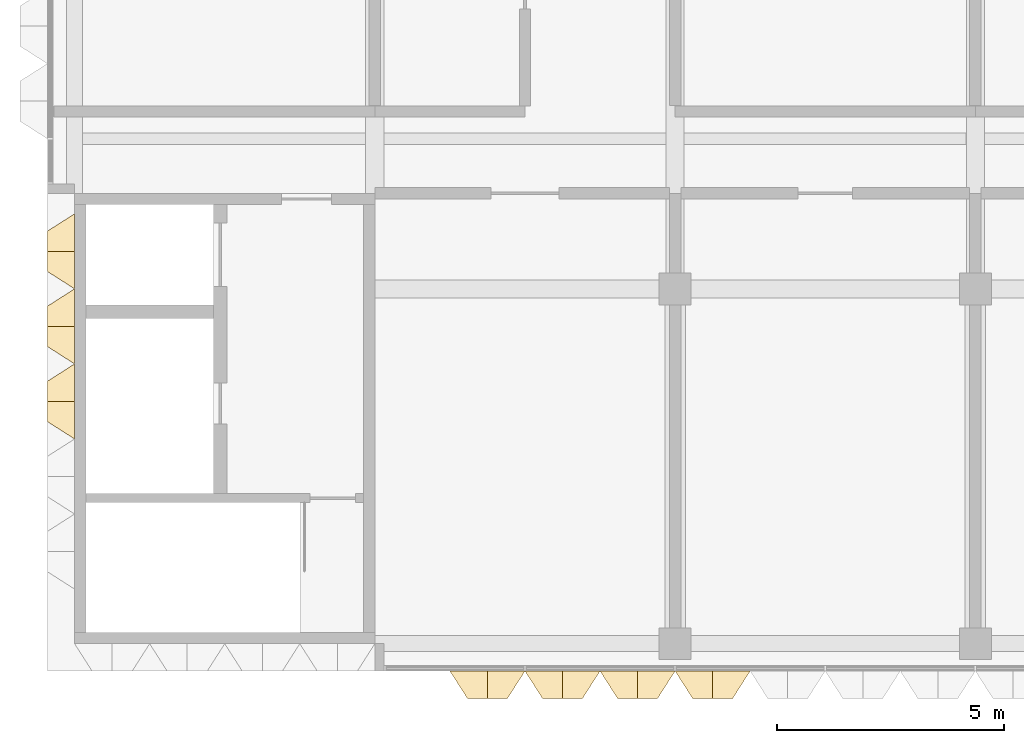
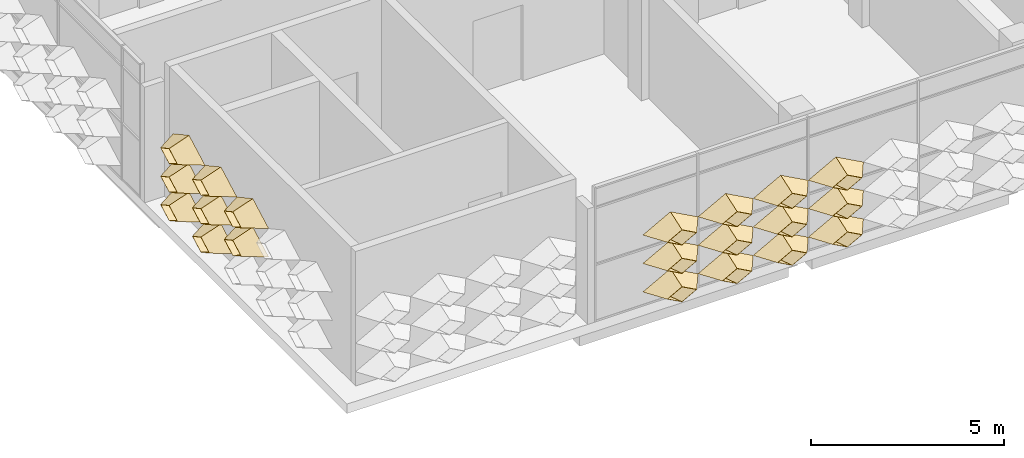
# One storey, part 12 of 21: 20 coverings.
"""IFC4 building model written with IfcOpenShell, lengths in metres."""

from ifc_helpers import new_model, entity, si_unit, direction, frame, origin, place, context, subcontext, project, spatial, material, layer, layer_set, type_object, element, save


model = new_model("IFC4")

# Units and contexts
model_context = context("Model", 3, precision=1e-05, world=origin(), true_north=direction((0.0, 1.0)))
body_context = subcontext(model_context, "Body", "Model", "MODEL_VIEW")
ifc_project = project(units=[si_unit("LENGTHUNIT", "METRE"), si_unit("AREAUNIT", "SQUARE_METRE"), si_unit("VOLUMEUNIT", "CUBIC_METRE"), si_unit("PLANEANGLEUNIT", "RADIAN"), si_unit("MASSUNIT", "GRAM", prefix="KILO")], contexts=[model_context])

# Site, building, storey
site_placement = place(None, origin())
site = spatial("IfcSite", under=ifc_project, at=site_placement, CompositionType="ELEMENT")
building_placement = place(site_placement, origin())
building = spatial("IfcBuilding", under=site, at=building_placement, Name="Lantern Court Research Institute", CompositionType="ELEMENT")
storey_placement = place(building_placement, frame((0.0, 0.0, 41.39990234375)))
storey = spatial("IfcBuildingStorey", under=building, at=storey_placement, Name="L09", CompositionType="ELEMENT", Elevation=41.39990234375)

# Coverings
ifc_material = material(Name="Anodised aluminium", Category="aluminium")
ifc_layer = layer(ifc_material, 0.01611328125)
ifc_layer_set = layer_set([ifc_layer], Name="Anodised aluminium")
covering_type = type_object("IfcCoveringType", Name="Fin cassette 1650 x 900 x 600 aluminium", PredefinedType="CLADDING", material=ifc_layer_set)
covering_1_placement = place(storey_placement, frame((61.875, -8.39990234375, 0.4501953125), z_axis=(0.0, -1.0, 0.0), x_axis=(1.0, 0.0, 0.0)))
cartesian_point_1 = entity("IfcCartesianPoint", [0.824951171875, 0.0])
cartesian_point_2 = entity("IfcCartesianPoint", [0.79150390625, 0.0])
cartesian_point_3 = entity("IfcCartesianPoint", [0.44189453125, 0.0])
cartesian_point_4 = entity("IfcCartesianPoint", [0.43359375, 0.0])
element("IfcCovering", 1, at=covering_1_placement, inside=storey, type_object=covering_type, Name="Fin cassette V5S-L09 1.38", PredefinedType="CLADDING", context=body_context, shape_type="SweptSolid", body=[
    entity("IfcExtrudedAreaSolidTapered", entity("IfcArbitraryProfileDefWithVoids", "AREA", None, entity("IfcPolyline", [cartesian_point_1, entity("IfcCartesianPoint", [0.0, 0.449951171875]), entity("IfcCartesianPoint", [-0.824951171875, 0.0]), entity("IfcCartesianPoint", [0.0, -0.449951171875]), cartesian_point_1]), [entity("IfcPolyline", [cartesian_point_2, entity("IfcCartesianPoint", [0.0, 0.431884765625]), entity("IfcCartesianPoint", [-0.79150390625, 0.0]), entity("IfcCartesianPoint", [0.0, -0.431884765625]), cartesian_point_2])]), entity("IfcAxis2Placement3D", entity("IfcCartesianPoint", [0.0, 0.0, 0.0])), entity("IfcDirection", [0.0, 0.0, 1.0]), 0.60009765625, entity("IfcArbitraryProfileDefWithVoids", "AREA", None, entity("IfcPolyline", [cartesian_point_3, entity("IfcCartesianPoint", [0.0, 0.240966796875]), entity("IfcCartesianPoint", [-0.44189453125, 0.0]), entity("IfcCartesianPoint", [0.0, -0.240966796875]), cartesian_point_3]), [entity("IfcPolyline", [cartesian_point_4, entity("IfcCartesianPoint", [0.0, 0.236572265625]), entity("IfcCartesianPoint", [-0.43359375, 0.0]), entity("IfcCartesianPoint", [0.0, -0.236572265625]), cartesian_point_4])])),
])
covering_2_placement = place(storey_placement, frame((63.52490234375, -8.39990234375, 0.4501953125), z_axis=(0.0, -1.0, 0.0), x_axis=(1.0, 0.0, 0.0)))
cartesian_point_5 = entity("IfcCartesianPoint", [0.824951171875, 0.0])
cartesian_point_6 = entity("IfcCartesianPoint", [0.79150390625, 0.0])
cartesian_point_7 = entity("IfcCartesianPoint", [0.44189453125, 0.0])
cartesian_point_8 = entity("IfcCartesianPoint", [0.43359375, 0.0])
element("IfcCovering", 2, at=covering_2_placement, inside=storey, type_object=covering_type, Name="Fin cassette V5S-L09 1.39", PredefinedType="CLADDING", context=body_context, shape_type="SweptSolid", body=[
    entity("IfcExtrudedAreaSolidTapered", entity("IfcArbitraryProfileDefWithVoids", "AREA", None, entity("IfcPolyline", [cartesian_point_5, entity("IfcCartesianPoint", [0.0, 0.449951171875]), entity("IfcCartesianPoint", [-0.824951171875, 0.0]), entity("IfcCartesianPoint", [0.0, -0.449951171875]), cartesian_point_5]), [entity("IfcPolyline", [cartesian_point_6, entity("IfcCartesianPoint", [0.0, 0.431884765625]), entity("IfcCartesianPoint", [-0.79150390625, 0.0]), entity("IfcCartesianPoint", [0.0, -0.431884765625]), cartesian_point_6])]), entity("IfcAxis2Placement3D", entity("IfcCartesianPoint", [0.0, 0.0, 0.0])), entity("IfcDirection", [0.0, 0.0, 1.0]), 0.60009765625, entity("IfcArbitraryProfileDefWithVoids", "AREA", None, entity("IfcPolyline", [cartesian_point_7, entity("IfcCartesianPoint", [0.0, 0.240966796875]), entity("IfcCartesianPoint", [-0.44189453125, 0.0]), entity("IfcCartesianPoint", [0.0, -0.240966796875]), cartesian_point_7]), [entity("IfcPolyline", [cartesian_point_8, entity("IfcCartesianPoint", [0.0, 0.236572265625]), entity("IfcCartesianPoint", [-0.43359375, 0.0]), entity("IfcCartesianPoint", [0.0, -0.236572265625]), cartesian_point_8])])),
])
covering_3_placement = place(storey_placement, frame((65.175048828125, -8.39990234375, 0.4501953125), z_axis=(0.0, -1.0, 0.0), x_axis=(1.0, 0.0, 0.0)))
cartesian_point_9 = entity("IfcCartesianPoint", [0.824951171875, 0.0])
cartesian_point_10 = entity("IfcCartesianPoint", [0.79150390625, 0.0])
cartesian_point_11 = entity("IfcCartesianPoint", [0.44189453125, 0.0])
cartesian_point_12 = entity("IfcCartesianPoint", [0.43359375, 0.0])
element("IfcCovering", 3, at=covering_3_placement, inside=storey, type_object=covering_type, Name="Fin cassette V5S-L09 1.40", PredefinedType="CLADDING", context=body_context, shape_type="SweptSolid", body=[
    entity("IfcExtrudedAreaSolidTapered", entity("IfcArbitraryProfileDefWithVoids", "AREA", None, entity("IfcPolyline", [cartesian_point_9, entity("IfcCartesianPoint", [0.0, 0.449951171875]), entity("IfcCartesianPoint", [-0.824951171875, 0.0]), entity("IfcCartesianPoint", [0.0, -0.449951171875]), cartesian_point_9]), [entity("IfcPolyline", [cartesian_point_10, entity("IfcCartesianPoint", [0.0, 0.431884765625]), entity("IfcCartesianPoint", [-0.79150390625, 0.0]), entity("IfcCartesianPoint", [0.0, -0.431884765625]), cartesian_point_10])]), entity("IfcAxis2Placement3D", entity("IfcCartesianPoint", [0.0, 0.0, 0.0])), entity("IfcDirection", [0.0, 0.0, 1.0]), 0.60009765625, entity("IfcArbitraryProfileDefWithVoids", "AREA", None, entity("IfcPolyline", [cartesian_point_11, entity("IfcCartesianPoint", [0.0, 0.240966796875]), entity("IfcCartesianPoint", [-0.44189453125, 0.0]), entity("IfcCartesianPoint", [0.0, -0.240966796875]), cartesian_point_11]), [entity("IfcPolyline", [cartesian_point_12, entity("IfcCartesianPoint", [0.0, 0.236572265625]), entity("IfcCartesianPoint", [-0.43359375, 0.0]), entity("IfcCartesianPoint", [0.0, -0.236572265625]), cartesian_point_12])])),
])
covering_4_placement = place(storey_placement, frame((66.824951171875, -8.39990234375, 0.4501953125), z_axis=(0.0, -1.0, 0.0), x_axis=(1.0, 0.0, 0.0)))
cartesian_point_13 = entity("IfcCartesianPoint", [0.824951171875, 0.0])
cartesian_point_14 = entity("IfcCartesianPoint", [0.79150390625, 0.0])
cartesian_point_15 = entity("IfcCartesianPoint", [0.44189453125, 0.0])
cartesian_point_16 = entity("IfcCartesianPoint", [0.43359375, 0.0])
element("IfcCovering", 4, at=covering_4_placement, inside=storey, type_object=covering_type, Name="Fin cassette V5S-L09 1.41", PredefinedType="CLADDING", context=body_context, shape_type="SweptSolid", body=[
    entity("IfcExtrudedAreaSolidTapered", entity("IfcArbitraryProfileDefWithVoids", "AREA", None, entity("IfcPolyline", [cartesian_point_13, entity("IfcCartesianPoint", [0.0, 0.449951171875]), entity("IfcCartesianPoint", [-0.824951171875, 0.0]), entity("IfcCartesianPoint", [0.0, -0.449951171875]), cartesian_point_13]), [entity("IfcPolyline", [cartesian_point_14, entity("IfcCartesianPoint", [0.0, 0.431884765625]), entity("IfcCartesianPoint", [-0.79150390625, 0.0]), entity("IfcCartesianPoint", [0.0, -0.431884765625]), cartesian_point_14])]), entity("IfcAxis2Placement3D", entity("IfcCartesianPoint", [0.0, 0.0, 0.0])), entity("IfcDirection", [0.0, 0.0, 1.0]), 0.60009765625, entity("IfcArbitraryProfileDefWithVoids", "AREA", None, entity("IfcPolyline", [cartesian_point_15, entity("IfcCartesianPoint", [0.0, 0.240966796875]), entity("IfcCartesianPoint", [-0.44189453125, 0.0]), entity("IfcCartesianPoint", [0.0, -0.240966796875]), cartesian_point_15]), [entity("IfcPolyline", [cartesian_point_16, entity("IfcCartesianPoint", [0.0, 0.236572265625]), entity("IfcCartesianPoint", [-0.43359375, 0.0]), entity("IfcCartesianPoint", [0.0, -0.236572265625]), cartesian_point_16])])),
])
covering_5_placement = place(storey_placement, frame((61.875, -8.39990234375, 1.35009765625), z_axis=(0.0, -1.0, 0.0), x_axis=(1.0, 0.0, 0.0)))
cartesian_point_17 = entity("IfcCartesianPoint", [0.824951171875, 0.0])
cartesian_point_18 = entity("IfcCartesianPoint", [0.79150390625, 0.0])
cartesian_point_19 = entity("IfcCartesianPoint", [0.44189453125, 0.0])
cartesian_point_20 = entity("IfcCartesianPoint", [0.43359375, 0.0])
element("IfcCovering", 5, at=covering_5_placement, inside=storey, type_object=covering_type, Name="Fin cassette V5S-L09 2.38", PredefinedType="CLADDING", context=body_context, shape_type="SweptSolid", body=[
    entity("IfcExtrudedAreaSolidTapered", entity("IfcArbitraryProfileDefWithVoids", "AREA", None, entity("IfcPolyline", [cartesian_point_17, entity("IfcCartesianPoint", [0.0, 0.449951171875]), entity("IfcCartesianPoint", [-0.824951171875, 0.0]), entity("IfcCartesianPoint", [0.0, -0.449951171875]), cartesian_point_17]), [entity("IfcPolyline", [cartesian_point_18, entity("IfcCartesianPoint", [0.0, 0.431884765625]), entity("IfcCartesianPoint", [-0.79150390625, 0.0]), entity("IfcCartesianPoint", [0.0, -0.431884765625]), cartesian_point_18])]), entity("IfcAxis2Placement3D", entity("IfcCartesianPoint", [0.0, 0.0, 0.0])), entity("IfcDirection", [0.0, 0.0, 1.0]), 0.60009765625, entity("IfcArbitraryProfileDefWithVoids", "AREA", None, entity("IfcPolyline", [cartesian_point_19, entity("IfcCartesianPoint", [0.0, 0.240966796875]), entity("IfcCartesianPoint", [-0.44189453125, 0.0]), entity("IfcCartesianPoint", [0.0, -0.240966796875]), cartesian_point_19]), [entity("IfcPolyline", [cartesian_point_20, entity("IfcCartesianPoint", [0.0, 0.236572265625]), entity("IfcCartesianPoint", [-0.43359375, 0.0]), entity("IfcCartesianPoint", [0.0, -0.236572265625]), cartesian_point_20])])),
])
covering_6_placement = place(storey_placement, frame((63.52490234375, -8.39990234375, 1.35009765625), z_axis=(0.0, -1.0, 0.0), x_axis=(1.0, 0.0, 0.0)))
cartesian_point_21 = entity("IfcCartesianPoint", [0.824951171875, 0.0])
cartesian_point_22 = entity("IfcCartesianPoint", [0.79150390625, 0.0])
cartesian_point_23 = entity("IfcCartesianPoint", [0.44189453125, 0.0])
cartesian_point_24 = entity("IfcCartesianPoint", [0.43359375, 0.0])
element("IfcCovering", 6, at=covering_6_placement, inside=storey, type_object=covering_type, Name="Fin cassette V5S-L09 2.39", PredefinedType="CLADDING", context=body_context, shape_type="SweptSolid", body=[
    entity("IfcExtrudedAreaSolidTapered", entity("IfcArbitraryProfileDefWithVoids", "AREA", None, entity("IfcPolyline", [cartesian_point_21, entity("IfcCartesianPoint", [0.0, 0.449951171875]), entity("IfcCartesianPoint", [-0.824951171875, 0.0]), entity("IfcCartesianPoint", [0.0, -0.449951171875]), cartesian_point_21]), [entity("IfcPolyline", [cartesian_point_22, entity("IfcCartesianPoint", [0.0, 0.431884765625]), entity("IfcCartesianPoint", [-0.79150390625, 0.0]), entity("IfcCartesianPoint", [0.0, -0.431884765625]), cartesian_point_22])]), entity("IfcAxis2Placement3D", entity("IfcCartesianPoint", [0.0, 0.0, 0.0])), entity("IfcDirection", [0.0, 0.0, 1.0]), 0.60009765625, entity("IfcArbitraryProfileDefWithVoids", "AREA", None, entity("IfcPolyline", [cartesian_point_23, entity("IfcCartesianPoint", [0.0, 0.240966796875]), entity("IfcCartesianPoint", [-0.44189453125, 0.0]), entity("IfcCartesianPoint", [0.0, -0.240966796875]), cartesian_point_23]), [entity("IfcPolyline", [cartesian_point_24, entity("IfcCartesianPoint", [0.0, 0.236572265625]), entity("IfcCartesianPoint", [-0.43359375, 0.0]), entity("IfcCartesianPoint", [0.0, -0.236572265625]), cartesian_point_24])])),
])
covering_7_placement = place(storey_placement, frame((65.175048828125, -8.39990234375, 1.35009765625), z_axis=(0.0, -1.0, 0.0), x_axis=(1.0, 0.0, 0.0)))
cartesian_point_25 = entity("IfcCartesianPoint", [0.824951171875, 0.0])
cartesian_point_26 = entity("IfcCartesianPoint", [0.79150390625, 0.0])
cartesian_point_27 = entity("IfcCartesianPoint", [0.44189453125, 0.0])
cartesian_point_28 = entity("IfcCartesianPoint", [0.43359375, 0.0])
element("IfcCovering", 7, at=covering_7_placement, inside=storey, type_object=covering_type, Name="Fin cassette V5S-L09 2.40", PredefinedType="CLADDING", context=body_context, shape_type="SweptSolid", body=[
    entity("IfcExtrudedAreaSolidTapered", entity("IfcArbitraryProfileDefWithVoids", "AREA", None, entity("IfcPolyline", [cartesian_point_25, entity("IfcCartesianPoint", [0.0, 0.449951171875]), entity("IfcCartesianPoint", [-0.824951171875, 0.0]), entity("IfcCartesianPoint", [0.0, -0.449951171875]), cartesian_point_25]), [entity("IfcPolyline", [cartesian_point_26, entity("IfcCartesianPoint", [0.0, 0.431884765625]), entity("IfcCartesianPoint", [-0.79150390625, 0.0]), entity("IfcCartesianPoint", [0.0, -0.431884765625]), cartesian_point_26])]), entity("IfcAxis2Placement3D", entity("IfcCartesianPoint", [0.0, 0.0, 0.0])), entity("IfcDirection", [0.0, 0.0, 1.0]), 0.60009765625, entity("IfcArbitraryProfileDefWithVoids", "AREA", None, entity("IfcPolyline", [cartesian_point_27, entity("IfcCartesianPoint", [0.0, 0.240966796875]), entity("IfcCartesianPoint", [-0.44189453125, 0.0]), entity("IfcCartesianPoint", [0.0, -0.240966796875]), cartesian_point_27]), [entity("IfcPolyline", [cartesian_point_28, entity("IfcCartesianPoint", [0.0, 0.236572265625]), entity("IfcCartesianPoint", [-0.43359375, 0.0]), entity("IfcCartesianPoint", [0.0, -0.236572265625]), cartesian_point_28])])),
])
covering_8_placement = place(storey_placement, frame((66.824951171875, -8.39990234375, 1.35009765625), z_axis=(0.0, -1.0, 0.0), x_axis=(1.0, 0.0, 0.0)))
cartesian_point_29 = entity("IfcCartesianPoint", [0.824951171875, 0.0])
cartesian_point_30 = entity("IfcCartesianPoint", [0.79150390625, 0.0])
cartesian_point_31 = entity("IfcCartesianPoint", [0.44189453125, 0.0])
cartesian_point_32 = entity("IfcCartesianPoint", [0.43359375, 0.0])
element("IfcCovering", 8, at=covering_8_placement, inside=storey, type_object=covering_type, Name="Fin cassette V5S-L09 2.41", PredefinedType="CLADDING", context=body_context, shape_type="SweptSolid", body=[
    entity("IfcExtrudedAreaSolidTapered", entity("IfcArbitraryProfileDefWithVoids", "AREA", None, entity("IfcPolyline", [cartesian_point_29, entity("IfcCartesianPoint", [0.0, 0.449951171875]), entity("IfcCartesianPoint", [-0.824951171875, 0.0]), entity("IfcCartesianPoint", [0.0, -0.449951171875]), cartesian_point_29]), [entity("IfcPolyline", [cartesian_point_30, entity("IfcCartesianPoint", [0.0, 0.431884765625]), entity("IfcCartesianPoint", [-0.79150390625, 0.0]), entity("IfcCartesianPoint", [0.0, -0.431884765625]), cartesian_point_30])]), entity("IfcAxis2Placement3D", entity("IfcCartesianPoint", [0.0, 0.0, 0.0])), entity("IfcDirection", [0.0, 0.0, 1.0]), 0.60009765625, entity("IfcArbitraryProfileDefWithVoids", "AREA", None, entity("IfcPolyline", [cartesian_point_31, entity("IfcCartesianPoint", [0.0, 0.240966796875]), entity("IfcCartesianPoint", [-0.44189453125, 0.0]), entity("IfcCartesianPoint", [0.0, -0.240966796875]), cartesian_point_31]), [entity("IfcPolyline", [cartesian_point_32, entity("IfcCartesianPoint", [0.0, 0.236572265625]), entity("IfcCartesianPoint", [-0.43359375, 0.0]), entity("IfcCartesianPoint", [0.0, -0.236572265625]), cartesian_point_32])])),
])
covering_9_placement = place(storey_placement, frame((61.875, -8.39990234375, 2.25), z_axis=(0.0, -1.0, 0.0), x_axis=(1.0, 0.0, 0.0)))
cartesian_point_33 = entity("IfcCartesianPoint", [0.824951171875, 0.0])
cartesian_point_34 = entity("IfcCartesianPoint", [0.79150390625, 0.0])
cartesian_point_35 = entity("IfcCartesianPoint", [0.44189453125, 0.0])
cartesian_point_36 = entity("IfcCartesianPoint", [0.43359375, 0.0])
element("IfcCovering", 9, at=covering_9_placement, inside=storey, type_object=covering_type, Name="Fin cassette V5S-L09 3.38", PredefinedType="CLADDING", context=body_context, shape_type="SweptSolid", body=[
    entity("IfcExtrudedAreaSolidTapered", entity("IfcArbitraryProfileDefWithVoids", "AREA", None, entity("IfcPolyline", [cartesian_point_33, entity("IfcCartesianPoint", [0.0, 0.449951171875]), entity("IfcCartesianPoint", [-0.824951171875, 0.0]), entity("IfcCartesianPoint", [0.0, -0.449951171875]), cartesian_point_33]), [entity("IfcPolyline", [cartesian_point_34, entity("IfcCartesianPoint", [0.0, 0.431884765625]), entity("IfcCartesianPoint", [-0.79150390625, 0.0]), entity("IfcCartesianPoint", [0.0, -0.431884765625]), cartesian_point_34])]), entity("IfcAxis2Placement3D", entity("IfcCartesianPoint", [0.0, 0.0, 0.0])), entity("IfcDirection", [0.0, 0.0, 1.0]), 0.60009765625, entity("IfcArbitraryProfileDefWithVoids", "AREA", None, entity("IfcPolyline", [cartesian_point_35, entity("IfcCartesianPoint", [0.0, 0.240966796875]), entity("IfcCartesianPoint", [-0.44189453125, 0.0]), entity("IfcCartesianPoint", [0.0, -0.240966796875]), cartesian_point_35]), [entity("IfcPolyline", [cartesian_point_36, entity("IfcCartesianPoint", [0.0, 0.236572265625]), entity("IfcCartesianPoint", [-0.43359375, 0.0]), entity("IfcCartesianPoint", [0.0, -0.236572265625]), cartesian_point_36])])),
])
covering_10_placement = place(storey_placement, frame((63.52490234375, -8.39990234375, 2.25), z_axis=(0.0, -1.0, 0.0), x_axis=(1.0, 0.0, 0.0)))
cartesian_point_37 = entity("IfcCartesianPoint", [0.824951171875, 0.0])
cartesian_point_38 = entity("IfcCartesianPoint", [0.79150390625, 0.0])
cartesian_point_39 = entity("IfcCartesianPoint", [0.44189453125, 0.0])
cartesian_point_40 = entity("IfcCartesianPoint", [0.43359375, 0.0])
element("IfcCovering", 10, at=covering_10_placement, inside=storey, type_object=covering_type, Name="Fin cassette V5S-L09 3.39", PredefinedType="CLADDING", context=body_context, shape_type="SweptSolid", body=[
    entity("IfcExtrudedAreaSolidTapered", entity("IfcArbitraryProfileDefWithVoids", "AREA", None, entity("IfcPolyline", [cartesian_point_37, entity("IfcCartesianPoint", [0.0, 0.449951171875]), entity("IfcCartesianPoint", [-0.824951171875, 0.0]), entity("IfcCartesianPoint", [0.0, -0.449951171875]), cartesian_point_37]), [entity("IfcPolyline", [cartesian_point_38, entity("IfcCartesianPoint", [0.0, 0.431884765625]), entity("IfcCartesianPoint", [-0.79150390625, 0.0]), entity("IfcCartesianPoint", [0.0, -0.431884765625]), cartesian_point_38])]), entity("IfcAxis2Placement3D", entity("IfcCartesianPoint", [0.0, 0.0, 0.0])), entity("IfcDirection", [0.0, 0.0, 1.0]), 0.60009765625, entity("IfcArbitraryProfileDefWithVoids", "AREA", None, entity("IfcPolyline", [cartesian_point_39, entity("IfcCartesianPoint", [0.0, 0.240966796875]), entity("IfcCartesianPoint", [-0.44189453125, 0.0]), entity("IfcCartesianPoint", [0.0, -0.240966796875]), cartesian_point_39]), [entity("IfcPolyline", [cartesian_point_40, entity("IfcCartesianPoint", [0.0, 0.236572265625]), entity("IfcCartesianPoint", [-0.43359375, 0.0]), entity("IfcCartesianPoint", [0.0, -0.236572265625]), cartesian_point_40])])),
])
covering_11_placement = place(storey_placement, frame((65.175048828125, -8.39990234375, 2.25), z_axis=(0.0, -1.0, 0.0), x_axis=(1.0, 0.0, 0.0)))
cartesian_point_41 = entity("IfcCartesianPoint", [0.824951171875, 0.0])
cartesian_point_42 = entity("IfcCartesianPoint", [0.79150390625, 0.0])
cartesian_point_43 = entity("IfcCartesianPoint", [0.44189453125, 0.0])
cartesian_point_44 = entity("IfcCartesianPoint", [0.43359375, 0.0])
element("IfcCovering", 11, at=covering_11_placement, inside=storey, type_object=covering_type, Name="Fin cassette V5S-L09 3.40", PredefinedType="CLADDING", context=body_context, shape_type="SweptSolid", body=[
    entity("IfcExtrudedAreaSolidTapered", entity("IfcArbitraryProfileDefWithVoids", "AREA", None, entity("IfcPolyline", [cartesian_point_41, entity("IfcCartesianPoint", [0.0, 0.449951171875]), entity("IfcCartesianPoint", [-0.824951171875, 0.0]), entity("IfcCartesianPoint", [0.0, -0.449951171875]), cartesian_point_41]), [entity("IfcPolyline", [cartesian_point_42, entity("IfcCartesianPoint", [0.0, 0.431884765625]), entity("IfcCartesianPoint", [-0.79150390625, 0.0]), entity("IfcCartesianPoint", [0.0, -0.431884765625]), cartesian_point_42])]), entity("IfcAxis2Placement3D", entity("IfcCartesianPoint", [0.0, 0.0, 0.0])), entity("IfcDirection", [0.0, 0.0, 1.0]), 0.60009765625, entity("IfcArbitraryProfileDefWithVoids", "AREA", None, entity("IfcPolyline", [cartesian_point_43, entity("IfcCartesianPoint", [0.0, 0.240966796875]), entity("IfcCartesianPoint", [-0.44189453125, 0.0]), entity("IfcCartesianPoint", [0.0, -0.240966796875]), cartesian_point_43]), [entity("IfcPolyline", [cartesian_point_44, entity("IfcCartesianPoint", [0.0, 0.236572265625]), entity("IfcCartesianPoint", [-0.43359375, 0.0]), entity("IfcCartesianPoint", [0.0, -0.236572265625]), cartesian_point_44])])),
])
covering_12_placement = place(storey_placement, frame((66.824951171875, -8.39990234375, 2.25), z_axis=(0.0, -1.0, 0.0), x_axis=(1.0, 0.0, 0.0)))
cartesian_point_45 = entity("IfcCartesianPoint", [0.824951171875, 0.0])
cartesian_point_46 = entity("IfcCartesianPoint", [0.79150390625, 0.0])
cartesian_point_47 = entity("IfcCartesianPoint", [0.44189453125, 0.0])
cartesian_point_48 = entity("IfcCartesianPoint", [0.43359375, 0.0])
element("IfcCovering", 12, at=covering_12_placement, inside=storey, type_object=covering_type, Name="Fin cassette V5S-L09 3.41", PredefinedType="CLADDING", context=body_context, shape_type="SweptSolid", body=[
    entity("IfcExtrudedAreaSolidTapered", entity("IfcArbitraryProfileDefWithVoids", "AREA", None, entity("IfcPolyline", [cartesian_point_45, entity("IfcCartesianPoint", [0.0, 0.449951171875]), entity("IfcCartesianPoint", [-0.824951171875, 0.0]), entity("IfcCartesianPoint", [0.0, -0.449951171875]), cartesian_point_45]), [entity("IfcPolyline", [cartesian_point_46, entity("IfcCartesianPoint", [0.0, 0.431884765625]), entity("IfcCartesianPoint", [-0.79150390625, 0.0]), entity("IfcCartesianPoint", [0.0, -0.431884765625]), cartesian_point_46])]), entity("IfcAxis2Placement3D", entity("IfcCartesianPoint", [0.0, 0.0, 0.0])), entity("IfcDirection", [0.0, 0.0, 1.0]), 0.60009765625, entity("IfcArbitraryProfileDefWithVoids", "AREA", None, entity("IfcPolyline", [cartesian_point_47, entity("IfcCartesianPoint", [0.0, 0.240966796875]), entity("IfcCartesianPoint", [-0.44189453125, 0.0]), entity("IfcCartesianPoint", [0.0, -0.240966796875]), cartesian_point_47]), [entity("IfcPolyline", [cartesian_point_48, entity("IfcCartesianPoint", [0.0, 0.236572265625]), entity("IfcCartesianPoint", [-0.43359375, 0.0]), entity("IfcCartesianPoint", [0.0, -0.236572265625]), cartesian_point_48])])),
])
covering_13_placement = place(storey_placement, frame((52.800048828125, -0.824951171875, 0.4501953125), z_axis=(-1.0, 0.0, 0.0), x_axis=(0.0, -1.0, 0.0)))
cartesian_point_49 = entity("IfcCartesianPoint", [0.824951171875, 0.0])
cartesian_point_50 = entity("IfcCartesianPoint", [0.79150390625, 0.0])
cartesian_point_51 = entity("IfcCartesianPoint", [0.44189453125, 0.0])
cartesian_point_52 = entity("IfcCartesianPoint", [0.43359375, 0.0])
element("IfcCovering", 13, at=covering_13_placement, inside=storey, type_object=covering_type, Name="Fin cassette V5W-L09 1.0", PredefinedType="CLADDING", context=body_context, shape_type="SweptSolid", body=[
    entity("IfcExtrudedAreaSolidTapered", entity("IfcArbitraryProfileDefWithVoids", "AREA", None, entity("IfcPolyline", [cartesian_point_49, entity("IfcCartesianPoint", [0.0, 0.449951171875]), entity("IfcCartesianPoint", [-0.824951171875, 0.0]), entity("IfcCartesianPoint", [0.0, -0.449951171875]), cartesian_point_49]), [entity("IfcPolyline", [cartesian_point_50, entity("IfcCartesianPoint", [0.0, 0.431884765625]), entity("IfcCartesianPoint", [-0.79150390625, 0.0]), entity("IfcCartesianPoint", [0.0, -0.431884765625]), cartesian_point_50])]), entity("IfcAxis2Placement3D", entity("IfcCartesianPoint", [0.0, 0.0, 0.0])), entity("IfcDirection", [0.0, 0.0, 1.0]), 0.60009765625, entity("IfcArbitraryProfileDefWithVoids", "AREA", None, entity("IfcPolyline", [cartesian_point_51, entity("IfcCartesianPoint", [0.0, 0.240966796875]), entity("IfcCartesianPoint", [-0.44189453125, 0.0]), entity("IfcCartesianPoint", [0.0, -0.240966796875]), cartesian_point_51]), [entity("IfcPolyline", [cartesian_point_52, entity("IfcCartesianPoint", [0.0, 0.236572265625]), entity("IfcCartesianPoint", [-0.43359375, 0.0]), entity("IfcCartesianPoint", [0.0, -0.236572265625]), cartesian_point_52])])),
])
covering_14_placement = place(storey_placement, frame((52.800048828125, 0.824951171875, 0.4501953125), z_axis=(-1.0, 0.0, 0.0), x_axis=(0.0, -1.0, 0.0)))
cartesian_point_53 = entity("IfcCartesianPoint", [0.824951171875, 0.0])
cartesian_point_54 = entity("IfcCartesianPoint", [0.79150390625, 0.0])
cartesian_point_55 = entity("IfcCartesianPoint", [0.44189453125, 0.0])
cartesian_point_56 = entity("IfcCartesianPoint", [0.43359375, 0.0])
element("IfcCovering", 14, at=covering_14_placement, inside=storey, type_object=covering_type, Name="Fin cassette V5W-L09 1.1", PredefinedType="CLADDING", context=body_context, shape_type="SweptSolid", body=[
    entity("IfcExtrudedAreaSolidTapered", entity("IfcArbitraryProfileDefWithVoids", "AREA", None, entity("IfcPolyline", [cartesian_point_53, entity("IfcCartesianPoint", [0.0, 0.449951171875]), entity("IfcCartesianPoint", [-0.824951171875, 0.0]), entity("IfcCartesianPoint", [0.0, -0.449951171875]), cartesian_point_53]), [entity("IfcPolyline", [cartesian_point_54, entity("IfcCartesianPoint", [0.0, 0.431884765625]), entity("IfcCartesianPoint", [-0.79150390625, 0.0]), entity("IfcCartesianPoint", [0.0, -0.431884765625]), cartesian_point_54])]), entity("IfcAxis2Placement3D", entity("IfcCartesianPoint", [0.0, 0.0, 0.0])), entity("IfcDirection", [0.0, 0.0, 1.0]), 0.60009765625, entity("IfcArbitraryProfileDefWithVoids", "AREA", None, entity("IfcPolyline", [cartesian_point_55, entity("IfcCartesianPoint", [0.0, 0.240966796875]), entity("IfcCartesianPoint", [-0.44189453125, 0.0]), entity("IfcCartesianPoint", [0.0, -0.240966796875]), cartesian_point_55]), [entity("IfcPolyline", [cartesian_point_56, entity("IfcCartesianPoint", [0.0, 0.236572265625]), entity("IfcCartesianPoint", [-0.43359375, 0.0]), entity("IfcCartesianPoint", [0.0, -0.236572265625]), cartesian_point_56])])),
])
covering_15_placement = place(storey_placement, frame((52.800048828125, -2.47509765625, 1.35009765625), z_axis=(-1.0, 0.0, 0.0), x_axis=(0.0, -1.0, 0.0)))
cartesian_point_57 = entity("IfcCartesianPoint", [0.824951171875, 0.0])
cartesian_point_58 = entity("IfcCartesianPoint", [0.79150390625, 0.0])
cartesian_point_59 = entity("IfcCartesianPoint", [0.44189453125, 0.0])
cartesian_point_60 = entity("IfcCartesianPoint", [0.43359375, 0.0])
element("IfcCovering", 15, at=covering_15_placement, inside=storey, type_object=covering_type, Name="Fin cassette V5W-L09 2.-1", PredefinedType="CLADDING", context=body_context, shape_type="SweptSolid", body=[
    entity("IfcExtrudedAreaSolidTapered", entity("IfcArbitraryProfileDefWithVoids", "AREA", None, entity("IfcPolyline", [cartesian_point_57, entity("IfcCartesianPoint", [0.0, 0.449951171875]), entity("IfcCartesianPoint", [-0.824951171875, 0.0]), entity("IfcCartesianPoint", [0.0, -0.449951171875]), cartesian_point_57]), [entity("IfcPolyline", [cartesian_point_58, entity("IfcCartesianPoint", [0.0, 0.431884765625]), entity("IfcCartesianPoint", [-0.79150390625, 0.0]), entity("IfcCartesianPoint", [0.0, -0.431884765625]), cartesian_point_58])]), entity("IfcAxis2Placement3D", entity("IfcCartesianPoint", [0.0, 0.0, 0.0])), entity("IfcDirection", [0.0, 0.0, 1.0]), 0.60009765625, entity("IfcArbitraryProfileDefWithVoids", "AREA", None, entity("IfcPolyline", [cartesian_point_59, entity("IfcCartesianPoint", [0.0, 0.240966796875]), entity("IfcCartesianPoint", [-0.44189453125, 0.0]), entity("IfcCartesianPoint", [0.0, -0.240966796875]), cartesian_point_59]), [entity("IfcPolyline", [cartesian_point_60, entity("IfcCartesianPoint", [0.0, 0.236572265625]), entity("IfcCartesianPoint", [-0.43359375, 0.0]), entity("IfcCartesianPoint", [0.0, -0.236572265625]), cartesian_point_60])])),
])
covering_16_placement = place(storey_placement, frame((52.800048828125, -0.824951171875, 1.35009765625), z_axis=(-1.0, 0.0, 0.0), x_axis=(0.0, -1.0, 0.0)))
cartesian_point_61 = entity("IfcCartesianPoint", [0.824951171875, 0.0])
cartesian_point_62 = entity("IfcCartesianPoint", [0.79150390625, 0.0])
cartesian_point_63 = entity("IfcCartesianPoint", [0.44189453125, 0.0])
cartesian_point_64 = entity("IfcCartesianPoint", [0.43359375, 0.0])
element("IfcCovering", 16, at=covering_16_placement, inside=storey, type_object=covering_type, Name="Fin cassette V5W-L09 2.0", PredefinedType="CLADDING", context=body_context, shape_type="SweptSolid", body=[
    entity("IfcExtrudedAreaSolidTapered", entity("IfcArbitraryProfileDefWithVoids", "AREA", None, entity("IfcPolyline", [cartesian_point_61, entity("IfcCartesianPoint", [0.0, 0.449951171875]), entity("IfcCartesianPoint", [-0.824951171875, 0.0]), entity("IfcCartesianPoint", [0.0, -0.449951171875]), cartesian_point_61]), [entity("IfcPolyline", [cartesian_point_62, entity("IfcCartesianPoint", [0.0, 0.431884765625]), entity("IfcCartesianPoint", [-0.79150390625, 0.0]), entity("IfcCartesianPoint", [0.0, -0.431884765625]), cartesian_point_62])]), entity("IfcAxis2Placement3D", entity("IfcCartesianPoint", [0.0, 0.0, 0.0])), entity("IfcDirection", [0.0, 0.0, 1.0]), 0.60009765625, entity("IfcArbitraryProfileDefWithVoids", "AREA", None, entity("IfcPolyline", [cartesian_point_63, entity("IfcCartesianPoint", [0.0, 0.240966796875]), entity("IfcCartesianPoint", [-0.44189453125, 0.0]), entity("IfcCartesianPoint", [0.0, -0.240966796875]), cartesian_point_63]), [entity("IfcPolyline", [cartesian_point_64, entity("IfcCartesianPoint", [0.0, 0.236572265625]), entity("IfcCartesianPoint", [-0.43359375, 0.0]), entity("IfcCartesianPoint", [0.0, -0.236572265625]), cartesian_point_64])])),
])
covering_17_placement = place(storey_placement, frame((52.800048828125, 0.824951171875, 1.35009765625), z_axis=(-1.0, 0.0, 0.0), x_axis=(0.0, -1.0, 0.0)))
cartesian_point_65 = entity("IfcCartesianPoint", [0.824951171875, 0.0])
cartesian_point_66 = entity("IfcCartesianPoint", [0.79150390625, 0.0])
cartesian_point_67 = entity("IfcCartesianPoint", [0.44189453125, 0.0])
cartesian_point_68 = entity("IfcCartesianPoint", [0.43359375, 0.0])
element("IfcCovering", 17, at=covering_17_placement, inside=storey, type_object=covering_type, Name="Fin cassette V5W-L09 2.1", PredefinedType="CLADDING", context=body_context, shape_type="SweptSolid", body=[
    entity("IfcExtrudedAreaSolidTapered", entity("IfcArbitraryProfileDefWithVoids", "AREA", None, entity("IfcPolyline", [cartesian_point_65, entity("IfcCartesianPoint", [0.0, 0.449951171875]), entity("IfcCartesianPoint", [-0.824951171875, 0.0]), entity("IfcCartesianPoint", [0.0, -0.449951171875]), cartesian_point_65]), [entity("IfcPolyline", [cartesian_point_66, entity("IfcCartesianPoint", [0.0, 0.431884765625]), entity("IfcCartesianPoint", [-0.79150390625, 0.0]), entity("IfcCartesianPoint", [0.0, -0.431884765625]), cartesian_point_66])]), entity("IfcAxis2Placement3D", entity("IfcCartesianPoint", [0.0, 0.0, 0.0])), entity("IfcDirection", [0.0, 0.0, 1.0]), 0.60009765625, entity("IfcArbitraryProfileDefWithVoids", "AREA", None, entity("IfcPolyline", [cartesian_point_67, entity("IfcCartesianPoint", [0.0, 0.240966796875]), entity("IfcCartesianPoint", [-0.44189453125, 0.0]), entity("IfcCartesianPoint", [0.0, -0.240966796875]), cartesian_point_67]), [entity("IfcPolyline", [cartesian_point_68, entity("IfcCartesianPoint", [0.0, 0.236572265625]), entity("IfcCartesianPoint", [-0.43359375, 0.0]), entity("IfcCartesianPoint", [0.0, -0.236572265625]), cartesian_point_68])])),
])
covering_18_placement = place(storey_placement, frame((52.800048828125, -2.47509765625, 2.25), z_axis=(-1.0, 0.0, 0.0), x_axis=(0.0, -1.0, 0.0)))
cartesian_point_69 = entity("IfcCartesianPoint", [0.824951171875, 0.0])
cartesian_point_70 = entity("IfcCartesianPoint", [0.79150390625, 0.0])
cartesian_point_71 = entity("IfcCartesianPoint", [0.44189453125, 0.0])
cartesian_point_72 = entity("IfcCartesianPoint", [0.43359375, 0.0])
element("IfcCovering", 18, at=covering_18_placement, inside=storey, type_object=covering_type, Name="Fin cassette V5W-L09 3.-1", PredefinedType="CLADDING", context=body_context, shape_type="SweptSolid", body=[
    entity("IfcExtrudedAreaSolidTapered", entity("IfcArbitraryProfileDefWithVoids", "AREA", None, entity("IfcPolyline", [cartesian_point_69, entity("IfcCartesianPoint", [0.0, 0.449951171875]), entity("IfcCartesianPoint", [-0.824951171875, 0.0]), entity("IfcCartesianPoint", [0.0, -0.449951171875]), cartesian_point_69]), [entity("IfcPolyline", [cartesian_point_70, entity("IfcCartesianPoint", [0.0, 0.431884765625]), entity("IfcCartesianPoint", [-0.79150390625, 0.0]), entity("IfcCartesianPoint", [0.0, -0.431884765625]), cartesian_point_70])]), entity("IfcAxis2Placement3D", entity("IfcCartesianPoint", [0.0, 0.0, 0.0])), entity("IfcDirection", [0.0, 0.0, 1.0]), 0.60009765625, entity("IfcArbitraryProfileDefWithVoids", "AREA", None, entity("IfcPolyline", [cartesian_point_71, entity("IfcCartesianPoint", [0.0, 0.240966796875]), entity("IfcCartesianPoint", [-0.44189453125, 0.0]), entity("IfcCartesianPoint", [0.0, -0.240966796875]), cartesian_point_71]), [entity("IfcPolyline", [cartesian_point_72, entity("IfcCartesianPoint", [0.0, 0.236572265625]), entity("IfcCartesianPoint", [-0.43359375, 0.0]), entity("IfcCartesianPoint", [0.0, -0.236572265625]), cartesian_point_72])])),
])
covering_19_placement = place(storey_placement, frame((52.800048828125, -0.824951171875, 2.25), z_axis=(-1.0, 0.0, 0.0), x_axis=(0.0, -1.0, 0.0)))
cartesian_point_73 = entity("IfcCartesianPoint", [0.824951171875, 0.0])
cartesian_point_74 = entity("IfcCartesianPoint", [0.79150390625, 0.0])
cartesian_point_75 = entity("IfcCartesianPoint", [0.44189453125, 0.0])
cartesian_point_76 = entity("IfcCartesianPoint", [0.43359375, 0.0])
element("IfcCovering", 19, at=covering_19_placement, inside=storey, type_object=covering_type, Name="Fin cassette V5W-L09 3.0", PredefinedType="CLADDING", context=body_context, shape_type="SweptSolid", body=[
    entity("IfcExtrudedAreaSolidTapered", entity("IfcArbitraryProfileDefWithVoids", "AREA", None, entity("IfcPolyline", [cartesian_point_73, entity("IfcCartesianPoint", [0.0, 0.449951171875]), entity("IfcCartesianPoint", [-0.824951171875, 0.0]), entity("IfcCartesianPoint", [0.0, -0.449951171875]), cartesian_point_73]), [entity("IfcPolyline", [cartesian_point_74, entity("IfcCartesianPoint", [0.0, 0.431884765625]), entity("IfcCartesianPoint", [-0.79150390625, 0.0]), entity("IfcCartesianPoint", [0.0, -0.431884765625]), cartesian_point_74])]), entity("IfcAxis2Placement3D", entity("IfcCartesianPoint", [0.0, 0.0, 0.0])), entity("IfcDirection", [0.0, 0.0, 1.0]), 0.60009765625, entity("IfcArbitraryProfileDefWithVoids", "AREA", None, entity("IfcPolyline", [cartesian_point_75, entity("IfcCartesianPoint", [0.0, 0.240966796875]), entity("IfcCartesianPoint", [-0.44189453125, 0.0]), entity("IfcCartesianPoint", [0.0, -0.240966796875]), cartesian_point_75]), [entity("IfcPolyline", [cartesian_point_76, entity("IfcCartesianPoint", [0.0, 0.236572265625]), entity("IfcCartesianPoint", [-0.43359375, 0.0]), entity("IfcCartesianPoint", [0.0, -0.236572265625]), cartesian_point_76])])),
])
covering_20_placement = place(storey_placement, frame((52.800048828125, 0.824951171875, 2.25), z_axis=(-1.0, 0.0, 0.0), x_axis=(0.0, -1.0, 0.0)))
cartesian_point_77 = entity("IfcCartesianPoint", [0.824951171875, 0.0])
cartesian_point_78 = entity("IfcCartesianPoint", [0.79150390625, 0.0])
cartesian_point_79 = entity("IfcCartesianPoint", [0.44189453125, 0.0])
cartesian_point_80 = entity("IfcCartesianPoint", [0.43359375, 0.0])
element("IfcCovering", 20, at=covering_20_placement, inside=storey, type_object=covering_type, Name="Fin cassette V5W-L09 3.1", PredefinedType="CLADDING", context=body_context, shape_type="SweptSolid", body=[
    entity("IfcExtrudedAreaSolidTapered", entity("IfcArbitraryProfileDefWithVoids", "AREA", None, entity("IfcPolyline", [cartesian_point_77, entity("IfcCartesianPoint", [0.0, 0.449951171875]), entity("IfcCartesianPoint", [-0.824951171875, 0.0]), entity("IfcCartesianPoint", [0.0, -0.449951171875]), cartesian_point_77]), [entity("IfcPolyline", [cartesian_point_78, entity("IfcCartesianPoint", [0.0, 0.431884765625]), entity("IfcCartesianPoint", [-0.79150390625, 0.0]), entity("IfcCartesianPoint", [0.0, -0.431884765625]), cartesian_point_78])]), entity("IfcAxis2Placement3D", entity("IfcCartesianPoint", [0.0, 0.0, 0.0])), entity("IfcDirection", [0.0, 0.0, 1.0]), 0.60009765625, entity("IfcArbitraryProfileDefWithVoids", "AREA", None, entity("IfcPolyline", [cartesian_point_79, entity("IfcCartesianPoint", [0.0, 0.240966796875]), entity("IfcCartesianPoint", [-0.44189453125, 0.0]), entity("IfcCartesianPoint", [0.0, -0.240966796875]), cartesian_point_79]), [entity("IfcPolyline", [cartesian_point_80, entity("IfcCartesianPoint", [0.0, 0.236572265625]), entity("IfcCartesianPoint", [-0.43359375, 0.0]), entity("IfcCartesianPoint", [0.0, -0.236572265625]), cartesian_point_80])])),
])

save(model, "model.ifc")
